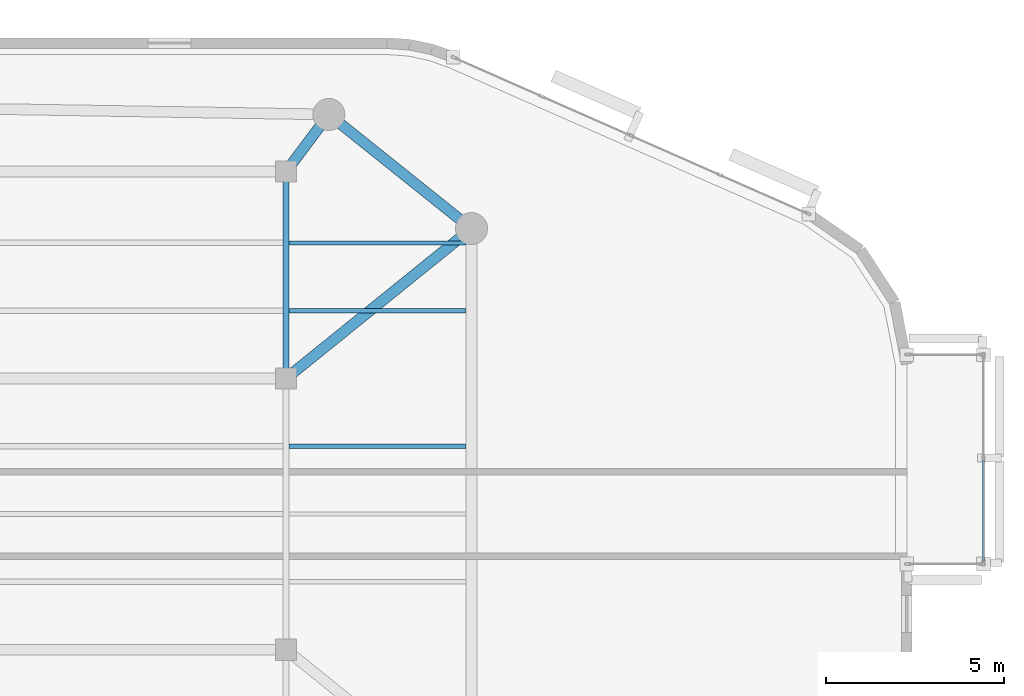
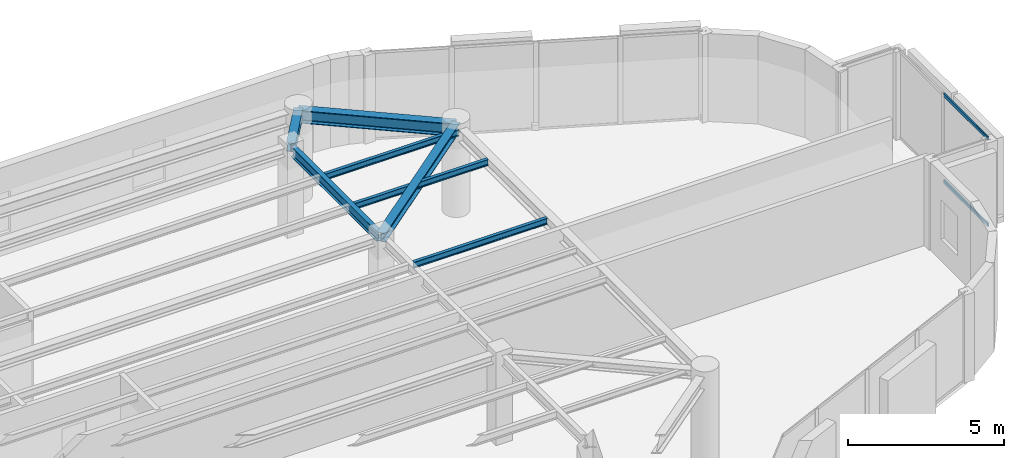
# One storey, part 5 of 13: 7 beams, 2 members, 1 element without a shape of its own.
"""IFC4 building model written with IfcOpenShell, lengths in metres."""

from ifc_helpers import new_model, si_unit, direction, frame, origin, origin_2d, place, context, subcontext, project, spatial, hollow_rectangle, i_section, extrude, material, layer, layer_set, material_profile, profile_set, type_object, element, aggregate, save


model = new_model("IFC4")

# Units and contexts
model_context = context("Model", 3, precision=1e-05, world=origin(), true_north=direction((0.0, 1.0)))
body_context = subcontext(model_context, "Body", "Model", "MODEL_VIEW")
ifc_project = project(units=[si_unit("LENGTHUNIT", "METRE"), si_unit("AREAUNIT", "SQUARE_METRE"), si_unit("VOLUMEUNIT", "CUBIC_METRE"), si_unit("PLANEANGLEUNIT", "RADIAN"), si_unit("MASSUNIT", "GRAM", prefix="KILO")], contexts=[model_context])

# Site, building, storey
site_placement = place(None, origin())
site = spatial("IfcSite", under=ifc_project, at=site_placement, CompositionType="ELEMENT")
building_placement = place(site_placement, origin())
building = spatial("IfcBuilding", under=site, at=building_placement, Name="An Khanh Terracotta Commons", CompositionType="ELEMENT")
storey_placement = place(building_placement, frame((0.0, 0.0, 277.050048828125)))
storey = spatial("IfcBuildingStorey", under=building, at=storey_placement, Name="L72", CompositionType="ELEMENT", Elevation=277.050048828125)

# Beams
ifc_material_1 = material(Name="Steel S355J2", Category="steel")
ifc_material_profile_1 = material_profile(ifc_material_1, i_section(OverallWidth=0.300048828125, OverallDepth=0.340087890625, WebThickness=0.011962890625, FlangeThickness=0.021484375, FilletRadius=0.027099609375, at=origin_2d()), Name="HEB340")
ifc_profile_set_1 = profile_set([ifc_material_profile_1], Name="Steel S355J2")
beam_type_1 = type_object("IfcBeamType", Name="BM-HEB340", PredefinedType="BEAM", material=ifc_profile_set_1)
beam_1_placement = place(storey_placement, frame((63.39990234375, 32.0, 3.280029296875), z_axis=(-0.777941866883, -0.628336256913, 0.0), x_axis=(0.628336256913, -0.777941866883, 0.0)))
element("IfcBeam", 1, at=beam_1_placement, inside=storey, type_object=beam_type_1, Name="L72 Mega-Column Tie Girder 4", PredefinedType="BEAM", context=body_context, shape_type="SweptSolid", body=[
    extrude(i_section(OverallWidth=0.300048828125, OverallDepth=0.340087890625, WebThickness=0.011962890625, FlangeThickness=0.021484375, FilletRadius=0.027099609375, at=origin_2d()), origin(), (0.0, 0.0, 1.0), 6.684326171875),
])
beam_2_placement = place(storey_placement, frame((59.39990234375, 35.199951171875, 3.280029296875), z_axis=(-0.600019532502, -0.799985350251, 0.0), x_axis=(0.799985350251, -0.600019532502, 0.0)))
element("IfcBeam", 2, at=beam_2_placement, inside=storey, type_object=beam_type_1, Name="L72 Mega-Column Tie Girder 5", PredefinedType="BEAM", context=body_context, shape_type="SweptSolid", body=[
    extrude(i_section(OverallWidth=0.300048828125, OverallDepth=0.340087890625, WebThickness=0.011962890625, FlangeThickness=0.021484375, FilletRadius=0.027099609375, at=origin_2d()), origin(), (0.0, 0.0, 1.0), 1.999755859375),
])
ifc_material_profile_2 = material_profile(ifc_material_1, i_section(OverallWidth=0.300048828125, OverallDepth=0.5, WebThickness=0.014404296875, FlangeThickness=0.028076171875, FilletRadius=0.027099609375, at=origin_2d()), Name="HEB500")
ifc_profile_set_2 = profile_set([ifc_material_profile_2], Name="Steel S355J2")
beam_type_2 = type_object("IfcBeamType", Name="BM-HEB500", PredefinedType="BEAM", material=ifc_profile_set_2)
beam_3_placement = place(storey_placement, frame((63.39990234375, 32.0, 3.199951171875), z_axis=(-0.780873459249, 0.624689235253, 0.0), x_axis=(-0.624689235253, -0.780873459249, 0.0)))
element("IfcBeam", 3, at=beam_3_placement, inside=storey, type_object=beam_type_2, Name="L72 Perimeter Ring Spandrel 4", PredefinedType="BEAM", context=body_context, shape_type="SweptSolid", body=[
    extrude(i_section(OverallWidth=0.300048828125, OverallDepth=0.5, WebThickness=0.014404296875, FlangeThickness=0.028076171875, FilletRadius=0.027099609375, at=origin_2d()), origin(), (0.0, 0.0, 1.0), 5.12255859375),
])
ifc_material_profile_3 = material_profile(ifc_material_1, i_section(OverallWidth=0.1201171875, OverallDepth=0.239990234375, WebThickness=0.006103515625, FlangeThickness=0.009765625, FilletRadius=0.014892578125, at=origin_2d()), Name="IPE240")
ifc_profile_set_3 = profile_set([ifc_material_profile_3], Name="Steel S355J2")
beam_type_3 = type_object("IfcBeamType", Name="BM-IPE240", PredefinedType="JOIST", material=ifc_profile_set_3)
for number, where, z_axis, x_axis, name in (
    (4, (58.2900390625, 25.89990234375, 3.329833984375), (1.0, 0.0, 0.0), (0.0, 1.0, 0.0), "L72 Riverfront Composite Joist 5"),
    (5, (58.2900390625, 29.699951171875, 3.329833984375), (1.0, 0.0, 0.0), (0.0, 1.0, 0.0), "L72 Riverfront Composite Joist 6"),
    (6, (58.2900390625, 31.60009765625, 3.329833984375), (1.0, 0.0, 0.0), (0.0, 1.0, 0.0), "L72 Riverfront Composite Joist 7"),
):
    element("IfcBeam", number, at=place(storey_placement, frame(where, z_axis=z_axis, x_axis=x_axis)), inside=storey, type_object=beam_type_3, Name=name, PredefinedType="JOIST", context=body_context, shape_type="SweptSolid", body=[
        extrude(i_section(OverallWidth=0.1201171875, OverallDepth=0.239990234375, WebThickness=0.006103515625, FlangeThickness=0.009765625, FilletRadius=0.014892578125, at=origin_2d()), origin(), (0.0, 0.0, 1.0), 4.9599609375),
    ])
ifc_material_profile_4 = material_profile(ifc_material_1, i_section(OverallWidth=0.179931640625, OverallDepth=0.39990234375, WebThickness=0.008544921875, FlangeThickness=0.013427734375, FilletRadius=0.02099609375, at=origin_2d()), Name="IPE400")
ifc_profile_set_4 = profile_set([ifc_material_profile_4], Name="Steel S355J2")
beam_type_4 = type_object("IfcBeamType", Name="BM-IPE400", PredefinedType="JOIST", material=ifc_profile_set_4)
beam_4_placement = place(storey_placement, frame((58.199951171875, 27.949951171875, 3.25), z_axis=(0.0, 1.0, 0.0), x_axis=(-1.0, 0.0, 0.0)))
element("IfcBeam", 7, at=beam_4_placement, inside=storey, type_object=beam_type_4, Name="L72 East Spine Girder 3", PredefinedType="JOIST", context=body_context, shape_type="SweptSolid", body=[
    extrude(i_section(OverallWidth=0.179931640625, OverallDepth=0.39990234375, WebThickness=0.008544921875, FlangeThickness=0.013427734375, FilletRadius=0.02099609375, at=origin_2d()), origin(), (0.0, 0.0, 1.0), 5.5),
])

# Curtain wall, members
ifc_material_2 = material(Name="Anodised Aluminium 6063-T6", Category="aluminium")
ifc_layer = layer(ifc_material_2, 0.239990234375, Name="Anodised Aluminium 6063-T6")
ifc_layer_set = layer_set([ifc_layer], Name="Anodised Aluminium 6063-T6")
curtain_wall_type = type_object("IfcCurtainWallType", Name="CW-SYS-04", PredefinedType="USERDEFINED", material=ifc_layer_set)
curtain_wall_placement = place(storey_placement, origin())
curtain_wall = element("IfcCurtainWall", 8, at=curtain_wall_placement, inside=storey, type_object=curtain_wall_type, Name="L72 CW-04 Unitised Curtain Wall CW-L72-EBOX-1", ObjectType="UNITISED CURTAIN WALL", PredefinedType="USERDEFINED")
ifc_material_profile_5 = material_profile(ifc_material_2, hollow_rectangle(XDim=0.06005859375, YDim=0.135009765625, WallThickness=0.003662109375, InnerFilletRadius=0.003662109375, OuterFilletRadius=0.007080078125, at=origin_2d()), Name="RHS135x60x3.6")
ifc_profile_set_5 = profile_set([ifc_material_profile_5], Name="Anodised Aluminium 6063-T6")
member_type = type_object("IfcMemberType", Name="CWT-RHS135x60x3.6", PredefinedType="USERDEFINED", material=ifc_profile_set_5)
member_1_placement = place(storey_placement, frame((77.75, 22.6650390625, 0.030029296875), z_axis=(0.0, 1.0, 0.0), x_axis=(-1.0, 0.0, 0.0)))
member_1 = element("IfcMember", 9, at=member_1_placement, type_object=member_type, Name="CW-04 transom 1.1", ObjectType="TRANSOM", PredefinedType="USERDEFINED", context=body_context, shape_type="SweptSolid", body=[
    extrude(hollow_rectangle(XDim=0.06005859375, YDim=0.135009765625, WallThickness=0.003662109375, InnerFilletRadius=0.003662109375, OuterFilletRadius=0.007080078125, at=origin_2d()), origin(), (0.0, 0.0, 1.0), 2.83740234375),
])
member_2_placement = place(storey_placement, frame((77.75, 22.6650390625, 3.419921875), z_axis=(0.0, 1.0, 0.0), x_axis=(-1.0, 0.0, 0.0)))
member_2 = element("IfcMember", 10, at=member_2_placement, type_object=member_type, Name="CW-04 transom 1.2", ObjectType="TRANSOM", PredefinedType="USERDEFINED", context=body_context, shape_type="SweptSolid", body=[
    extrude(hollow_rectangle(XDim=0.06005859375, YDim=0.135009765625, WallThickness=0.003662109375, InnerFilletRadius=0.003662109375, OuterFilletRadius=0.007080078125, at=origin_2d()), origin(), (0.0, 0.0, 1.0), 2.83740234375),
])
aggregate(curtain_wall, [member_1, member_2])

save(model, "model.ifc")
